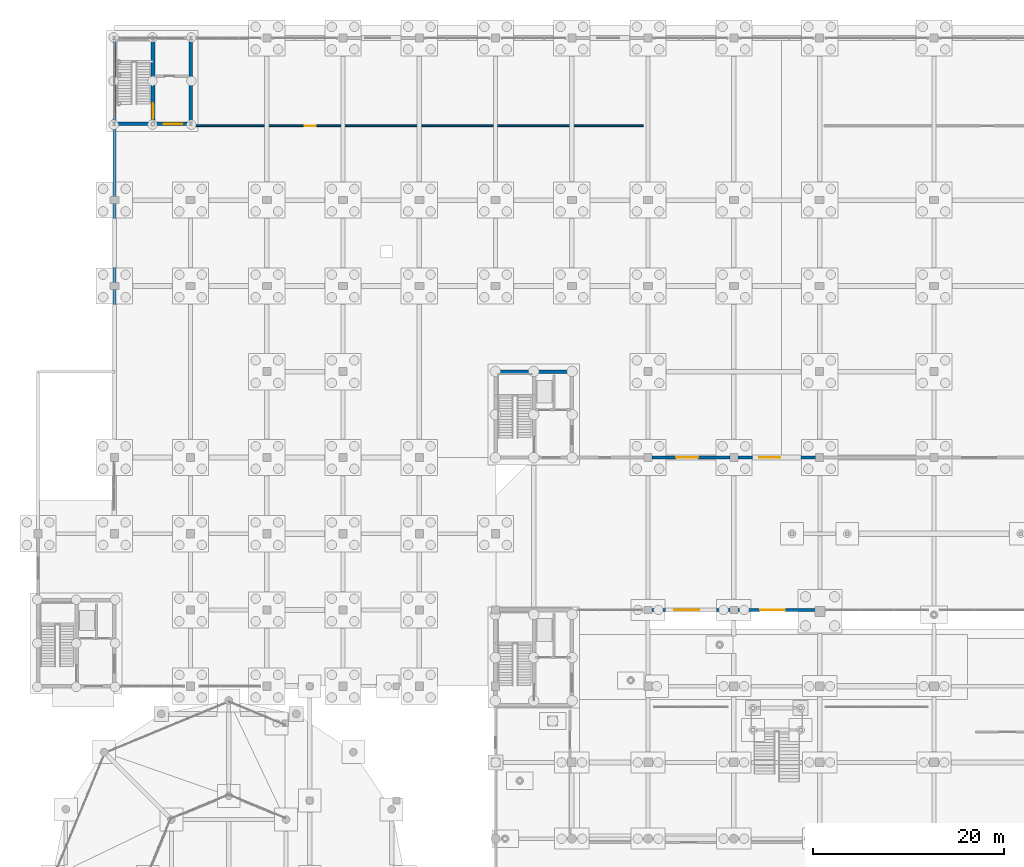
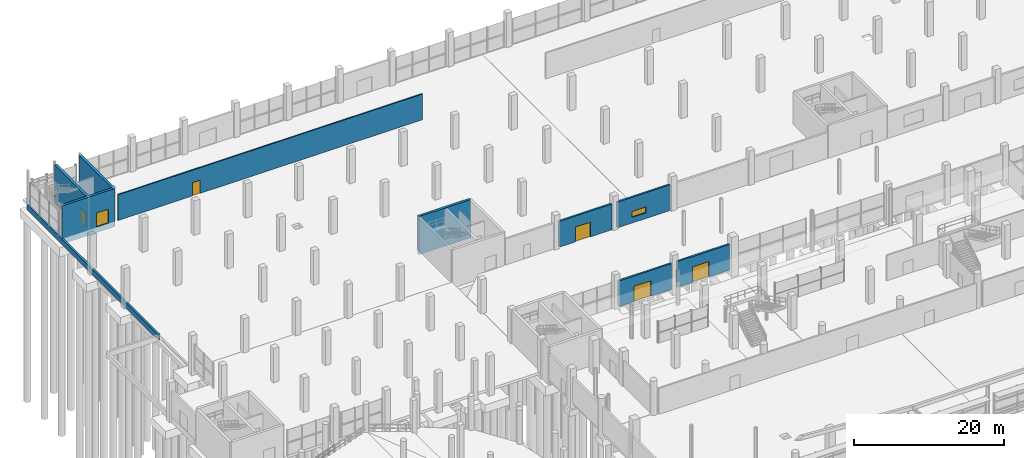
# One storey, part 76 of 98: 10 walls, 6 doors, 1 window, 7 openings.
"""IFC4 building model written with IfcOpenShell, lengths in metres."""

from ifc_helpers import new_model, si_unit, derived_unit, direction, frame, frame_2d, origin, place, context, subcontext, project, spatial, rectangle, extrude, material, layer, layer_set, type_object, element, fill, save


model = new_model("IFC4")

# Units and contexts
model_context = context("Model", 3, precision=1e-05, world=origin(), true_north=direction((0.0, 1.0)))
body_context = subcontext(model_context, "Body", "Model", "MODEL_VIEW")
ifc_project = project(units=[si_unit("LENGTHUNIT", "METRE"), si_unit("AREAUNIT", "SQUARE_METRE"), si_unit("VOLUMEUNIT", "CUBIC_METRE"), si_unit("PLANEANGLEUNIT", "RADIAN"), si_unit("MASSUNIT", "GRAM", prefix="KILO"), si_unit("THERMODYNAMICTEMPERATUREUNIT", "KELVIN"), derived_unit("THERMALTRANSMITTANCEUNIT", [(si_unit("POWERUNIT", "WATT"), 1), (si_unit("AREAUNIT", "SQUARE_METRE"), -1), (si_unit("THERMODYNAMICTEMPERATUREUNIT", "KELVIN"), -1)])], contexts=[model_context])

# Site, building, storey
site_placement = place(None, origin())
site = spatial("IfcSite", under=ifc_project, at=site_placement, CompositionType="ELEMENT")
building_placement = place(site_placement, origin())
building = spatial("IfcBuilding", under=site, at=building_placement, Name="Haiyu Intermodal Mobility Hub", CompositionType="ELEMENT")
storey_placement = place(building_placement, origin())
storey = spatial("IfcBuildingStorey", under=building, at=storey_placement, Name="L00", CompositionType="ELEMENT", Elevation=0.0)

# Wall
ifc_material_1 = material(Name="Precast concrete C40", Category="concrete")
ifc_layer_1 = layer(ifc_material_1, 0.300048828125)
ifc_layer_set_1 = layer_set([ifc_layer_1], Name="Precast concrete C40")
wall_type_1 = type_object("IfcWallType", Name="WAL-WE01", PredefinedType="STANDARD", material=ifc_layer_set_1)
wall_1_placement = place(storey_placement, frame((22.0, 113.0, -0.89990234375), z_axis=(0.0, 0.0, 1.0), x_axis=(0.0, 1.0, 0.0)))
element("IfcWall", 1, at=wall_1_placement, inside=storey, type_object=wall_type_1, Name="Flood Plinth Retaining Wall PLN-WN2", PredefinedType="STANDARD", context=body_context, shape_type="SweptSolid", body=[
    extrude(rectangle(XDim=35.0, YDim=0.300048828125, at=frame_2d((17.5, 0.0))), origin(), (0.0, 0.0, 1.0), 0.89990234375),
])

# Wall, opening, door
ifc_material_2 = material(Name="Anodised aluminium 6063-T6", Category="aluminium")
ifc_layer_2 = layer(ifc_material_2, 0.280029296875)
ifc_layer_set_2 = layer_set([ifc_layer_2], Name="Anodised aluminium 6063-T6")
wall_type_2 = type_object("IfcWallType", Name="WAL-WE02", PredefinedType="STANDARD", material=ifc_layer_set_2)
wall_2_placement = place(storey_placement, frame((86.594970703125, 88.0, 0.0), z_axis=(0.0, 0.0, 1.0), x_axis=(-1.0, 0.0, 0.0)))
wall_2 = element("IfcWall", 2, at=wall_2_placement, inside=storey, type_object=wall_type_2, Name="WAL-V1N-001", PredefinedType="STANDARD", context=body_context, shape_type="SweptSolid", body=[
    extrude(rectangle(XDim=8.18994140625, YDim=0.280029296875, at=frame_2d((4.094970703125, 0.0))), origin(), (0.0, 0.0, 1.0), 4.199951171875),
])
opening_1_placement = place(wall_2_placement, frame((3.2451171875, 0.0, 0.0)))
opening_1 = element("IfcOpeningElement", 3, at=opening_1_placement, cuts=wall_2, Name="Opening DE01", PredefinedType="OPENING", context=body_context, shape_type="SweptSolid", body=[
    extrude(rectangle(XDim=2.60009765625, YDim=2.5, at=frame_2d((1.300048828125, 1.25))), frame((0.0, 0.14990234375, 0.0), z_axis=(0.0, -1.0, 0.0), x_axis=(1.0, 0.0, 0.0)), (0.0, 0.0, 1.0), 0.300048828125),
])
door_type_1 = type_object("IfcDoorType", Name="DR-DE01", OperationType="DOUBLE_DOOR_SLIDING", PredefinedType="DOOR", material=ifc_material_2)
door_1_placement = place(opening_1_placement, origin())
door_1 = element("IfcDoor", 4, at=door_1_placement, inside=storey, type_object=door_type_1, Name="WAL-V1N-001-DR01", OperationType="DOUBLE_SWING_LEFT", OverallHeight=2.5, OverallWidth=2.60009765625, PredefinedType="DOOR", context=body_context, shape_type="SweptSolid", body=[
    extrude(rectangle(XDim=2.60009765625, YDim=2.5, at=frame_2d((1.300048828125, 1.25))), frame((0.0, 0.02490234375, 0.0), z_axis=(0.0, -1.0, 0.0), x_axis=(1.0, 0.0, 0.0)), (0.0, 0.0, 1.0), 0.050048828125),
])
fill(opening_1, door_1)

wall_3_placement = place(storey_placement, frame((95.574951171875, 88.0, 0.0), z_axis=(0.0, 0.0, 1.0), x_axis=(-1.0, 0.0, 0.0)))
wall_3 = element("IfcWall", 5, at=wall_3_placement, inside=storey, type_object=wall_type_2, Name="WAL-V1N-002", PredefinedType="STANDARD", context=body_context, shape_type="SweptSolid", body=[
    extrude(rectangle(XDim=8.169921875, YDim=0.280029296875, at=frame_2d((4.0849609375, 0.0))), origin(), (0.0, 0.0, 1.0), 4.199951171875),
])
opening_2_placement = place(wall_3_placement, frame((3.22509765625, 0.0, 0.0)))
opening_2 = element("IfcOpeningElement", 6, at=opening_2_placement, cuts=wall_3, Name="Opening DE01", PredefinedType="OPENING", context=body_context, shape_type="SweptSolid", body=[
    extrude(rectangle(XDim=2.60009765625, YDim=2.5, at=frame_2d((1.300048828125, 1.25))), frame((0.0, 0.14990234375, 0.0), z_axis=(0.0, -1.0, 0.0), x_axis=(1.0, 0.0, 0.0)), (0.0, 0.0, 1.0), 0.300048828125),
])
door_2_placement = place(opening_2_placement, origin())
door_2 = element("IfcDoor", 7, at=door_2_placement, inside=storey, type_object=door_type_1, Name="WAL-V1N-002-DR01", OperationType="DOUBLE_SWING_LEFT", OverallHeight=2.5, OverallWidth=2.60009765625, PredefinedType="DOOR", context=body_context, shape_type="SweptSolid", body=[
    extrude(rectangle(XDim=2.60009765625, YDim=2.5, at=frame_2d((1.300048828125, 1.25))), frame((0.0, 0.02490234375, 0.0), z_axis=(0.0, -1.0, 0.0), x_axis=(1.0, 0.0, 0.0)), (0.0, 0.0, 1.0), 0.050048828125),
])
fill(opening_2, door_2)

wall_4_placement = place(storey_placement, frame((78.405029296875, 104.0, 0.0), z_axis=(0.0, 0.0, 1.0), x_axis=(1.0, 0.0, 0.0)))
wall_4 = element("IfcWall", 8, at=wall_4_placement, inside=storey, type_object=wall_type_2, Name="WAL-V4S-L00-114", PredefinedType="STANDARD", context=body_context, shape_type="SweptSolid", body=[
    extrude(rectangle(XDim=8.18994140625, YDim=0.280029296875, at=frame_2d((4.094970703125, 0.0))), origin(), (0.0, 0.0, 1.0), 4.199951171875),
])
opening_3_placement = place(wall_4_placement, frame((2.544921875, 0.0, 0.0)))
opening_3 = element("IfcOpeningElement", 9, at=opening_3_placement, cuts=wall_4, Name="Opening DE10", PredefinedType="OPENING", context=body_context, shape_type="SweptSolid", body=[
    extrude(rectangle(XDim=2.300048828125, YDim=2.39990234375, at=frame_2d((1.14990234375, 1.199951171875))), frame((0.0, 0.14990234375, 0.0), z_axis=(0.0, -1.0, 0.0), x_axis=(1.0, 0.0, 0.0)), (0.0, 0.0, 1.0), 0.300048828125),
])
door_type_2 = type_object("IfcDoorType", Name="DR-DE10", OperationType="DOUBLE_DOOR_SINGLE_SWING", PredefinedType="DOOR", material=ifc_material_2)
door_3_placement = place(opening_3_placement, origin())
door_3 = element("IfcDoor", 10, at=door_3_placement, inside=storey, type_object=door_type_2, Name="WAL-V4S-L00-114-DR01", OperationType="DOUBLE_SWING_LEFT", OverallHeight=2.39990234375, OverallWidth=2.300048828125, PredefinedType="DOOR", context=body_context, shape_type="SweptSolid", body=[
    extrude(rectangle(XDim=2.300048828125, YDim=2.39990234375, at=frame_2d((1.14990234375, 1.199951171875))), frame((0.0, 0.02490234375, 0.0), z_axis=(0.0, -1.0, 0.0), x_axis=(1.0, 0.0, 0.0)), (0.0, 0.0, 1.0), 0.050048828125),
])
fill(opening_3, door_3)

# Wall, opening, window
wall_5_placement = place(storey_placement, frame((87.405029296875, 104.0, 0.0), z_axis=(0.0, 0.0, 1.0), x_axis=(1.0, 0.0, 0.0)))
wall_5 = element("IfcWall", 11, at=wall_5_placement, inside=storey, type_object=wall_type_2, Name="WAL-V4S-L00-120", PredefinedType="STANDARD", context=body_context, shape_type="SweptSolid", body=[
    extrude(rectangle(XDim=8.18994140625, YDim=0.280029296875, at=frame_2d((4.094970703125, 0.0))), origin(), (0.0, 0.0, 1.0), 4.199951171875),
])
opening_4_placement = place(wall_5_placement, frame((2.2451171875, 0.0, 0.949951171875)))
opening_4 = element("IfcOpeningElement", 12, at=opening_4_placement, cuts=wall_5, Name="Opening WN11", PredefinedType="OPENING", context=body_context, shape_type="SweptSolid", body=[
    extrude(rectangle(XDim=2.199951171875, YDim=0.949951171875, at=frame_2d((1.10009765625, 0.47509765625))), frame((0.0, 0.14990234375, 0.0), z_axis=(0.0, -1.0, 0.0), x_axis=(1.0, 0.0, 0.0)), (0.0, 0.0, 1.0), 0.300048828125),
])
ifc_material_3 = material(Name="Low-e laminated insulating glass", Category="glass")
window_type = type_object("IfcWindowType", Name="WIN-WN11", PartitioningType="DOUBLE_PANEL_HORIZONTAL", PredefinedType="WINDOW", material=ifc_material_3)
window_placement = place(opening_4_placement, origin())
window = element("IfcWindow", 13, at=window_placement, inside=storey, type_object=window_type, Name="WAL-V4S-L00-120-WN01", OverallHeight=0.949951171875, OverallWidth=2.199951171875, PartitioningType="SINGLE_PANEL", PredefinedType="WINDOW", context=body_context, shape_type="SweptSolid", body=[
    extrude(rectangle(XDim=2.199951171875, YDim=0.949951171875, at=frame_2d((1.10009765625, 0.47509765625))), frame((0.0, 0.030029296875, 0.0), z_axis=(0.0, -1.0, 0.0), x_axis=(1.0, 0.0, 0.0)), (0.0, 0.0, 1.0), 0.06005859375),
])
fill(opening_4, window)

# Wall, opening, door
ifc_material_4 = material(Name="Autoclaved aerated concrete block A5.0", Category="concrete")
ifc_layer_3 = layer(ifc_material_4, 0.179931640625)
ifc_layer_set_3 = layer_set([ifc_layer_3], Name="Autoclaved aerated concrete block A5.0")
wall_type_3 = type_object("IfcWallType", Name="WAL-WI03", PredefinedType="PARTITIONING", material=ifc_layer_set_3)
wall_6_placement = place(storey_placement, frame((30.5, 138.800048828125, 0.0), z_axis=(0.0, 0.0, 1.0), x_axis=(1.0, 0.0, 0.0)))
wall_6 = element("IfcWall", 14, at=wall_6_placement, inside=storey, type_object=wall_type_3, Name="WAL-INT-0026", PredefinedType="PARTITIONING", context=body_context, shape_type="SweptSolid", body=[
    extrude(rectangle(XDim=47.0, YDim=0.179931640625, at=frame_2d((23.5, 0.0))), origin(), (0.0, 0.0, 1.0), 4.199951171875),
])
opening_5_placement = place(wall_6_placement, frame((11.5, 0.0, 0.0)))
opening_5 = element("IfcOpeningElement", 15, at=opening_5_placement, cuts=wall_6, Name="Opening DI05", PredefinedType="OPENING", context=body_context, shape_type="SweptSolid", body=[
    extrude(rectangle(XDim=1.14990234375, YDim=2.14990234375, at=frame_2d((0.574951171875, 1.074951171875))), frame((0.0, 0.10009765625, 0.0), z_axis=(0.0, -1.0, 0.0), x_axis=(1.0, 0.0, 0.0)), (0.0, 0.0, 1.0), 0.199951171875),
])
ifc_material_5 = material(Name="Steel Q355C", Category="steel")
door_type_3 = type_object("IfcDoorType", Name="DR-DI05", OperationType="NOTDEFINED", PredefinedType="DOOR", material=ifc_material_5)
door_4_placement = place(opening_5_placement, origin())
door_4 = element("IfcDoor", 16, at=door_4_placement, inside=storey, type_object=door_type_3, Name="Parcel Store Door", OperationType="SINGLE_SWING_LEFT", OverallHeight=2.14990234375, OverallWidth=1.14990234375, PredefinedType="DOOR", context=body_context, shape_type="SweptSolid", body=[
    extrude(rectangle(XDim=1.14990234375, YDim=2.14990234375, at=frame_2d((0.574951171875, 1.074951171875))), frame((0.0, 0.02490234375, 0.0), z_axis=(0.0, -1.0, 0.0), x_axis=(1.0, 0.0, 0.0)), (0.0, 0.0, 1.0), 0.050048828125),
])
fill(opening_5, door_4)

# Wall
ifc_material_6 = material(Name="Concrete C40", Category="concrete")
ifc_layer_4 = layer(ifc_material_6, 0.35009765625)
ifc_layer_set_4 = layer_set([ifc_layer_4], Name="Concrete C40")
wall_type_4 = type_object("IfcWallType", Name="WAL-WS02", PredefinedType="SHEAR", material=ifc_layer_set_4)
wall_7_placement = place(storey_placement, frame((70.0, 113.0, -0.89990234375), z_axis=(0.0, 0.0, 1.0), x_axis=(-1.0, 0.0, 0.0)))
element("IfcWall", 17, at=wall_7_placement, inside=storey, type_object=wall_type_4, Name="WAL-CORE-C5-N-L00", PredefinedType="SHEAR", context=body_context, shape_type="SweptSolid", body=[
    extrude(rectangle(XDim=8.0, YDim=0.35009765625, at=frame_2d((4.0, 0.0))), origin(), (0.0, 0.0, 1.0), 6.219970703125),
])

# Wall, opening, door
ifc_layer_5 = layer(ifc_material_6, 0.3798828125)
ifc_layer_set_5 = layer_set([ifc_layer_5], Name="Concrete C40")
wall_type_5 = type_object("IfcWallType", Name="WAL-WS03", PredefinedType="SHEAR", material=ifc_layer_set_5)
wall_8_placement = place(storey_placement, frame((22.0, 139.0, -0.89990234375), z_axis=(0.0, 0.0, 1.0), x_axis=(1.0, 0.0, 0.0)))
wall_8 = element("IfcWall", 18, at=wall_8_placement, inside=storey, type_object=wall_type_5, Name="WAL-CORE-C3-S-L00", PredefinedType="SHEAR", context=body_context, shape_type="SweptSolid", body=[
    extrude(rectangle(XDim=8.0, YDim=0.3798828125, at=frame_2d((4.0, 0.0))), origin(), (0.0, 0.0, 1.0), 6.219970703125),
])
opening_6_placement = place(wall_8_placement, frame((5.199951171875, 0.0, 0.89990234375)))
opening_6 = element("IfcOpeningElement", 19, at=opening_6_placement, cuts=wall_8, Name="Opening DI01", PredefinedType="OPENING", context=body_context, shape_type="SweptSolid", body=[
    extrude(rectangle(XDim=1.89990234375, YDim=2.300048828125, at=frame_2d((0.949951171875, 1.14990234375))), frame((0.0, 0.199951171875, 0.0), z_axis=(0.0, -1.0, 0.0), x_axis=(1.0, 0.0, 0.0)), (0.0, 0.0, 1.0), 0.39990234375),
])
door_type_4 = type_object("IfcDoorType", Name="DR-DI01", OperationType="DOUBLE_DOOR_SINGLE_SWING", PredefinedType="DOOR", material=ifc_material_5)
door_5_placement = place(opening_6_placement, origin())
door_5 = element("IfcDoor", 20, at=door_5_placement, inside=storey, type_object=door_type_4, Name="Core C3 Lobby Fire Door L00", OperationType="SINGLE_SWING_LEFT", OverallHeight=2.300048828125, OverallWidth=1.89990234375, PredefinedType="DOOR", context=body_context, shape_type="SweptSolid", body=[
    extrude(rectangle(XDim=1.89990234375, YDim=2.300048828125, at=frame_2d((0.949951171875, 1.14990234375))), frame((0.0, 0.02490234375, 0.0), z_axis=(0.0, -1.0, 0.0), x_axis=(1.0, 0.0, 0.0)), (0.0, 0.0, 1.0), 0.050048828125),
])
fill(opening_6, door_5)

# Wall
wall_9_placement = place(storey_placement, frame((30.0, 139.0, -0.89990234375), z_axis=(0.0, 0.0, 1.0), x_axis=(0.0, 1.0, 0.0)))
element("IfcWall", 21, at=wall_9_placement, inside=storey, type_object=wall_type_5, Name="WAL-CORE-C3-E-L00", PredefinedType="SHEAR", context=body_context, shape_type="SweptSolid", body=[
    extrude(rectangle(XDim=9.0, YDim=0.3798828125, at=frame_2d((4.5, 0.0))), origin(), (0.0, 0.0, 1.0), 6.219970703125),
])

# Wall, opening, door
wall_10_placement = place(storey_placement, frame((26.050048828125, 139.35009765625, -0.89990234375), z_axis=(0.0, 0.0, 1.0), x_axis=(0.0, 1.0, 0.0)))
wall_10 = element("IfcWall", 22, at=wall_10_placement, inside=storey, type_object=wall_type_5, Name="WAL-CORE-C3-MID-L00", PredefinedType="SHEAR", context=body_context, shape_type="SweptSolid", body=[
    extrude(rectangle(XDim=8.2998046875, YDim=0.3798828125, at=frame_2d((4.14990234375, 0.0))), origin(), (0.0, 0.0, 1.0), 6.219970703125),
])
opening_7_placement = place(wall_10_placement, frame((0.179931640625, 0.0, 0.89990234375)))
opening_7 = element("IfcOpeningElement", 23, at=opening_7_placement, cuts=wall_10, Name="Opening DI02", PredefinedType="OPENING", context=body_context, shape_type="SweptSolid", body=[
    extrude(rectangle(XDim=1.64990234375, YDim=2.199951171875, at=frame_2d((0.824951171875, 1.10009765625))), frame((0.0, 0.199951171875, 0.0), z_axis=(0.0, -1.0, 0.0), x_axis=(1.0, 0.0, 0.0)), (0.0, 0.0, 1.0), 0.39990234375),
])
door_type_5 = type_object("IfcDoorType", Name="DR-DI02", OperationType="DOUBLE_DOOR_SINGLE_SWING", PredefinedType="DOOR", material=ifc_material_5)
door_6_placement = place(opening_7_placement, origin())
door_6 = element("IfcDoor", 24, at=door_6_placement, inside=storey, type_object=door_type_5, Name="Stair ST02 Fire Door L00", OperationType="SINGLE_SWING_LEFT", OverallHeight=2.199951171875, OverallWidth=1.64990234375, PredefinedType="DOOR", context=body_context, shape_type="SweptSolid", body=[
    extrude(rectangle(XDim=1.64990234375, YDim=2.199951171875, at=frame_2d((0.824951171875, 1.10009765625))), frame((0.0, 0.02490234375, 0.0), z_axis=(0.0, -1.0, 0.0), x_axis=(1.0, 0.0, 0.0)), (0.0, 0.0, 1.0), 0.050048828125),
])
fill(opening_7, door_6)

save(model, "model.ifc")
